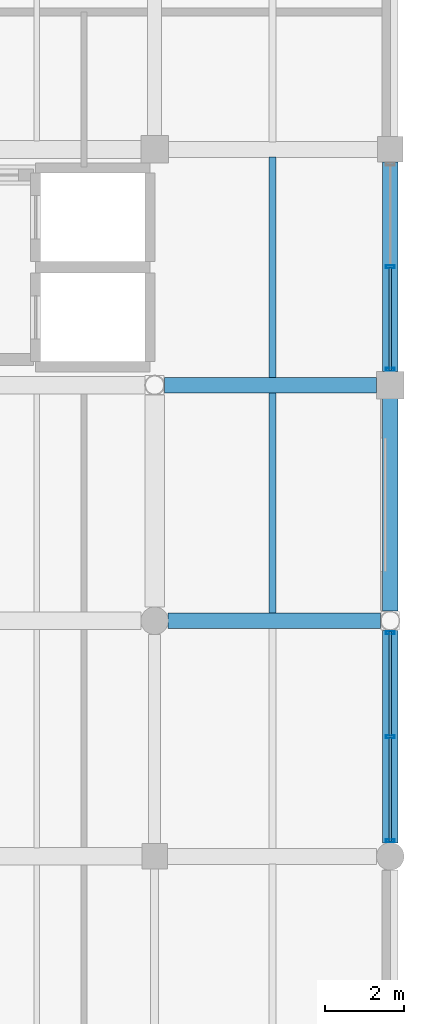
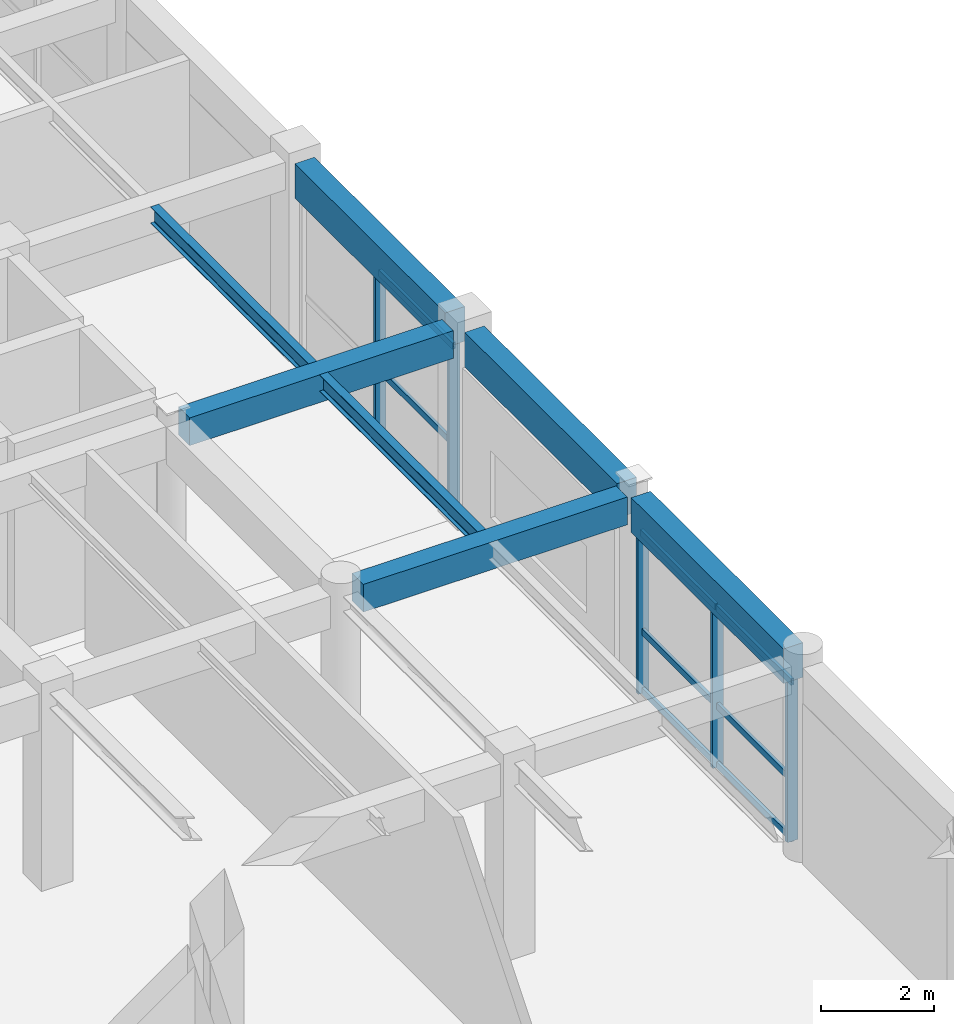
# One storey, part 73 of 116: 14 members, 7 beams, 2 elements without a shape of their own.
"""IFC4 building model written with IfcOpenShell, lengths in metres."""

import ifcopenshell
import ifcopenshell.guid

model = None  # the IFC model being written
_history = None  # IfcOwnerHistory: only IFC2X3 demands one
_inside = {}  # id of a spatial element -> (the spatial element, [elements in it])
_under = {}  # id of a project, library or spatial element -> (it, [spatial elements below it])
_declared = {}  # id of a project -> (the project, [libraries it declares])
_typed = {}  # id of a type object -> (the type object, [elements of that type])
_made_of = {}  # id of a material, layer set ... -> (it, [elements and type objects made of it])


def new_model(schema):
    """Start an empty IFC model of exactly this schema.

    Asked for "IFC4X3", IfcOpenShell would pick the latest addendum, in which some entities
    have other attributes; the version numbers below select the first issue.
    IFC2X3 requires an IfcOwnerHistory on every rooted entity: one is made here for all.
    """
    global model, _history
    if schema == "IFC4X3":
        model = ifcopenshell.file(schema_version=(4, 3, 0, 0))
    else:
        model = ifcopenshell.file(schema=schema)
    _inside.clear()
    _under.clear()
    _declared.clear()
    _typed.clear()
    _made_of.clear()
    _history = None
    if model.schema == "IFC2X3":
        org = make("IfcOrganization", Name="unknown")
        user = make(
            "IfcPersonAndOrganization",
            ThePerson=make("IfcPerson", FamilyName="unknown"),
            TheOrganization=org,
        )
        app = make(
            "IfcApplication",
            ApplicationDeveloper=org,
            Version="unknown",
            ApplicationFullName="unknown",
            ApplicationIdentifier="unknown",
        )
        _history = make(
            "IfcOwnerHistory",
            OwningUser=user,
            OwningApplication=app,
            ChangeAction="ADDED",
            CreationDate=0,
        )
    return model


def make(cls, **values):
    """One entity of the class cls with the attributes given. An attribute that is None is left unset."""
    return model.create_entity(
        cls, **{name: value for name, value in values.items() if value is not None}
    )


def rooted(cls, **values):
    """An entity with a GlobalId (a new one), such as an element, a storey or a relation."""
    return make(cls, GlobalId=ifcopenshell.guid.new(), OwnerHistory=_history, **values)


def si_unit(unit_type, name, prefix=None):
    """IfcSIUnit, for example si_unit("LENGTHUNIT", "METRE", prefix="MILLI")."""
    return make("IfcSIUnit", UnitType=unit_type, Prefix=prefix, Name=name)


def assignment(units):
    """IfcUnitAssignment: the units of a project."""
    return None if units is None else make("IfcUnitAssignment", Units=units)


def point(xyz):
    """IfcCartesianPoint."""
    return None if xyz is None else make("IfcCartesianPoint", Coordinates=xyz)


def direction(xyz):
    """IfcDirection."""
    return None if xyz is None else make("IfcDirection", DirectionRatios=xyz)


def frame(location, z_axis=None, x_axis=None):
    """IfcAxis2Placement3D, a coordinate frame: its origin and axes. An axis left out is left unset."""
    return make(
        "IfcAxis2Placement3D",
        Location=point(location),
        Axis=direction(z_axis),
        RefDirection=direction(x_axis),
    )


def frame_2d(location, x_axis=None):
    """IfcAxis2Placement2D, a coordinate frame in the plane: its origin and x axis."""
    return make(
        "IfcAxis2Placement2D", Location=point(location), RefDirection=direction(x_axis)
    )


def origin():
    """The frame at (0, 0, 0) with its axes left unset."""
    return frame((0.0, 0.0, 0.0))


def origin_2d():
    """The frame at (0, 0) in the plane with its x axis left unset."""
    return frame_2d((0.0, 0.0))


def place(relative_to, where):
    """IfcLocalPlacement: puts the frame where relative to a parent placement (None: the world)."""
    return make(
        "IfcLocalPlacement", PlacementRelTo=relative_to, RelativePlacement=where
    )


def context(
    kind, dimensions, precision=None, world=None, true_north=None, identifier=None
):
    """IfcGeometricRepresentationContext, for example the 3D "Model" context."""
    return make(
        "IfcGeometricRepresentationContext",
        ContextIdentifier=identifier,
        ContextType=kind,
        CoordinateSpaceDimension=dimensions,
        Precision=precision,
        WorldCoordinateSystem=world,
        TrueNorth=true_north,
    )


def subcontext(parent, identifier, kind, view, scale=None):
    """IfcGeometricRepresentationSubContext, for example "Body" below "Model"."""
    return make(
        "IfcGeometricRepresentationSubContext",
        ContextIdentifier=identifier,
        ContextType=kind,
        ParentContext=parent,
        TargetScale=scale,
        TargetView=view,
    )


def project(units=None, contexts=None):
    """IfcProject with its units and contexts."""
    return rooted(
        "IfcProject",
        Name="project",
        RepresentationContexts=contexts,
        UnitsInContext=assignment(units),
    )


def spatial(cls, under=None, at=None, **own):
    """A site, building, storey or space (cls), placed at a placement, below another one or the project."""
    s = rooted(cls, ObjectPlacement=at, **own)
    if under is not None:
        _under.setdefault(under.id(), (under, []))[1].append(s)
    return s


def profile(cls, at=None, kind="AREA", **sizes):
    """A parametric profile (cls). Its sizes go by their IFC names, for example OverallWidth=200.0."""
    return make(cls, ProfileType=kind, Position=at, **sizes)


def rectangle(**sizes):
    """IfcRectangleProfileDef."""
    return profile("IfcRectangleProfileDef", **sizes)


def hollow_rectangle(**sizes):
    """IfcRectangleHollowProfileDef."""
    return profile("IfcRectangleHollowProfileDef", **sizes)


def i_section(**sizes):
    """IfcIShapeProfileDef."""
    return profile("IfcIShapeProfileDef", **sizes)


def extrude(swept, where, along, depth):
    """IfcExtrudedAreaSolid: the profile swept, set in the frame where, extruded along a direction by depth."""
    return make(
        "IfcExtrudedAreaSolid",
        SweptArea=swept,
        Position=where,
        ExtrudedDirection=direction(along),
        Depth=depth,
    )


def shape(context_of_items, identifier, shape_type, items):
    """IfcShapeRepresentation: the items that make up one representation, for example the "Body"."""
    return make(
        "IfcShapeRepresentation",
        ContextOfItems=context_of_items,
        RepresentationIdentifier=identifier,
        RepresentationType=shape_type,
        Items=items,
    )


def material(Name=None, Category=None):
    """IfcMaterial."""
    return make("IfcMaterial", Name=Name, Category=Category)


def material_profile(
    of_material, cross_section, Name=None, Category=None, Priority=None
):
    """IfcMaterialProfile: a cross section and its material."""
    return make(
        "IfcMaterialProfile",
        Name=Name,
        Material=of_material,
        Profile=cross_section,
        Priority=Priority,
        Category=Category,
    )


def profile_set(profiles, Name=None, composite=None):
    """IfcMaterialProfileSet."""
    return make(
        "IfcMaterialProfileSet",
        Name=Name,
        MaterialProfiles=profiles,
        CompositeProfile=composite,
    )


def made_of(thing, what):
    """Note that an element or type object is made of a material, layer set ...; save() writes the relation."""
    if what is not None:
        _made_of.setdefault(what.id(), (what, []))[1].append(thing)
    return thing


def type_object(cls, material=None, **own):
    """A type object (cls), such as IfcWallType, which elements share."""
    return made_of(rooted(cls, **own), material)


def element(
    cls,
    number,
    at=None,
    inside=None,
    cuts=None,
    type_object=None,
    material=None,
    context=None,
    identifier="Body",
    shape_type=None,
    held_by="IfcProductDefinitionShape",
    body=None,
    shapes=None,
    **own,
):
    """One element of the class cls, such as IfcWall. Its Tag is "e" and its number.

    at: its placement. inside: the storey or other place that contains it. cuts: it is an
    opening in that element (IfcRelVoidsElement). A single representation is given by context,
    identifier, shape_type and body (its items); several are given by shapes. held_by: the class
    of the entity that holds the representations. save() writes the other relations.
    """
    e = rooted(cls, Tag="e%d" % number, ObjectPlacement=at, **own)
    if body is not None:
        shapes = [shape(context, identifier, shape_type, body)]
    if shapes is not None:
        e.Representation = make(held_by, Representations=shapes)
    if inside is not None:
        _inside.setdefault(inside.id(), (inside, []))[1].append(e)
    if cuts is not None:
        rooted(
            "IfcRelVoidsElement", RelatingBuildingElement=cuts, RelatedOpeningElement=e
        )
    if type_object is not None:
        _typed.setdefault(type_object.id(), (type_object, []))[1].append(e)
    return made_of(e, material)


def aggregate(whole, parts):
    """IfcRelAggregates: a whole, such as a stair, and the parts it consists of."""
    return rooted("IfcRelAggregates", RelatingObject=whole, RelatedObjects=parts)


def save(model, path):
    """Write the relations noted so far, then the file.

    IfcRelAggregates (storeys below a building ...), IfcRelContainedInSpatialStructure (elements
    in a storey), IfcRelDefinesByType, IfcRelAssociatesMaterial and IfcRelDeclares: one each for
    every whole, place, type object, material and project.
    """
    for whole, parts in _under.values():
        aggregate(whole, parts)
    for where, things in _inside.values():
        rooted(
            "IfcRelContainedInSpatialStructure",
            RelatedElements=things,
            RelatingStructure=where,
        )
    for kind, things in _typed.values():
        rooted("IfcRelDefinesByType", RelatedObjects=things, RelatingType=kind)
    for what, things in _made_of.values():
        rooted("IfcRelAssociatesMaterial", RelatedObjects=things, RelatingMaterial=what)
    for by, libraries in _declared.values():
        rooted("IfcRelDeclares", RelatingContext=by, RelatedDefinitions=libraries)
    model.write(path)


model = new_model("IFC4")

# Units and contexts
model_context = context("Model", 3, precision=1e-05, world=origin(), true_north=direction((0.0, 1.0)))
body_context = subcontext(model_context, "Body", "Model", "MODEL_VIEW")
ifc_project = project(units=[si_unit("LENGTHUNIT", "METRE"), si_unit("AREAUNIT", "SQUARE_METRE"), si_unit("VOLUMEUNIT", "CUBIC_METRE"), si_unit("PLANEANGLEUNIT", "RADIAN"), si_unit("MASSUNIT", "GRAM", prefix="KILO"), si_unit("THERMODYNAMICTEMPERATUREUNIT", "KELVIN"), si_unit("POWERUNIT", "WATT")], contexts=[model_context])

# Site, building, storey
site_placement = place(None, origin())
site = spatial("IfcSite", under=ifc_project, at=site_placement, CompositionType="ELEMENT")
building_placement = place(site_placement, origin())
building = spatial("IfcBuilding", under=site, at=building_placement, Name="Phaisarnlok Congress Hotel", CompositionType="ELEMENT")
storey_placement = place(building_placement, frame((0.0, 0.0, 10.5)))
storey = spatial("IfcBuildingStorey", under=building, at=storey_placement, Name="L02", CompositionType="ELEMENT", Elevation=10.5)

# Beams
ifc_material_1 = material(Name="Concrete C40/50", Category="concrete")
ifc_material_profile_1 = material_profile(ifc_material_1, rectangle(XDim=0.39990234375, YDim=0.60009765625, at=origin_2d()), Name="RC 400x600")
ifc_profile_set_1 = profile_set([ifc_material_profile_1], Name="Concrete C40/50")
beam_type_1 = type_object("IfcBeamType", Name="BM-RC-400x600", PredefinedType="BEAM", material=ifc_profile_set_1)
for number, where, z_axis, x_axis, name in (
    (1, (174.344970703125, 102.0, 3.93994140625), (1.0, 0.0, 0.0), (0.0, 1.0, 0.0), "Beam B-02"),
    (2, (174.2490234375, 108.0, 3.93994140625), (1.0, 0.0, 0.0), (0.0, 1.0, 0.0), "Beam B-02"),
):
    element("IfcBeam", number, at=place(storey_placement, frame(where, z_axis=z_axis, x_axis=x_axis)), inside=storey, type_object=beam_type_1, Name=name, PredefinedType="BEAM", context=body_context, shape_type="SweptSolid", body=[
        extrude(rectangle(XDim=0.39990234375, YDim=0.60009765625, at=origin_2d()), origin(), (0.0, 0.0, 1.0), 5.406005859375),
    ])

# Curtain wall, members
ifc_material_2 = material(Name="Thermally Broken Unitised Aluminium & Low-E Glazing", Category="aluminium")
curtain_wall_type_1 = type_object("IfcCurtainWallType", Name="CW-UNIT-17", PredefinedType="NOTDEFINED", material=ifc_material_2)
curtain_wall_1_placement = place(storey_placement, origin())
curtain_wall_1 = element("IfcCurtainWall", 3, at=curtain_wall_1_placement, inside=storey, type_object=curtain_wall_type_1, Name="Unitised curtain wall CW-17 (L02)", PredefinedType="NOTDEFINED")
ifc_material_3 = material(Name="Anodised Aluminium Alloy 6063-T6", Category="aluminium")
ifc_material_profile_2 = material_profile(ifc_material_3, hollow_rectangle(XDim=0.074951171875, YDim=0.219970703125, WallThickness=0.0048828125, at=origin_2d()), Name="ALU-M 75x220x5")
ifc_profile_set_2 = profile_set([ifc_material_profile_2], Name="Anodised Aluminium Alloy 6063-T6")
member_type_1 = type_object("IfcMemberType", Name="CWM-220", PredefinedType="MULLION", material=ifc_profile_set_2)
member_1_placement = place(storey_placement, frame((180.0, 96.39990234375, 0.0), z_axis=(0.0, 0.0, 1.0), x_axis=(0.0, 1.0, 0.0)))
member_1 = element("IfcMember", 4, at=member_1_placement, type_object=member_type_1, Name="Curtain wall mullion CWM-02", PredefinedType="MULLION", context=body_context, shape_type="SweptSolid", body=[
    extrude(hollow_rectangle(XDim=0.074951171875, YDim=0.219970703125, WallThickness=0.0048828125, at=origin_2d()), origin(), (0.0, 0.0, 1.0), 3.489990234375),
])
member_2_placement = place(storey_placement, frame((180.0, 99.048095703125, 0.0), z_axis=(0.0, 0.0, 1.0), x_axis=(0.0, 1.0, 0.0)))
member_2 = element("IfcMember", 5, at=member_2_placement, type_object=member_type_1, Name="Curtain wall mullion CWM-02", PredefinedType="MULLION", context=body_context, shape_type="SweptSolid", body=[
    extrude(hollow_rectangle(XDim=0.074951171875, YDim=0.219970703125, WallThickness=0.0048828125, at=origin_2d()), origin(), (0.0, 0.0, 1.0), 3.489990234375),
])
member_3_placement = place(storey_placement, frame((180.0, 101.696044921875, 0.0), z_axis=(0.0, 0.0, 1.0), x_axis=(0.0, 1.0, 0.0)))
member_3 = element("IfcMember", 6, at=member_3_placement, type_object=member_type_1, Name="Curtain wall mullion CWM-02", PredefinedType="MULLION", context=body_context, shape_type="SweptSolid", body=[
    extrude(hollow_rectangle(XDim=0.074951171875, YDim=0.219970703125, WallThickness=0.0048828125, at=origin_2d()), origin(), (0.0, 0.0, 1.0), 3.489990234375),
])

curtain_wall_type_2 = type_object("IfcCurtainWallType", Name="CW-UNIT-16", PredefinedType="NOTDEFINED", material=ifc_material_2)
curtain_wall_2_placement = place(storey_placement, origin())
curtain_wall_2 = element("IfcCurtainWall", 7, at=curtain_wall_2_placement, inside=storey, type_object=curtain_wall_type_2, Name="Unitised curtain wall CW-16 (L02)", PredefinedType="NOTDEFINED")
member_4_placement = place(storey_placement, frame((180.0, 108.39990234375, 0.0), z_axis=(0.0, 0.0, 1.0), x_axis=(0.0, 1.0, 0.0)))
member_4 = element("IfcMember", 8, at=member_4_placement, type_object=member_type_1, Name="Curtain wall mullion CWM-02", PredefinedType="MULLION", context=body_context, shape_type="SweptSolid", body=[
    extrude(hollow_rectangle(XDim=0.074951171875, YDim=0.219970703125, WallThickness=0.0048828125, at=origin_2d()), origin(), (0.0, 0.0, 1.0), 3.489990234375),
])
member_5_placement = place(storey_placement, frame((180.0, 111.012451171875, 0.0), z_axis=(0.0, 0.0, 1.0), x_axis=(0.0, 1.0, 0.0)))
member_5 = element("IfcMember", 9, at=member_5_placement, type_object=member_type_1, Name="Curtain wall mullion CWM-02", PredefinedType="MULLION", context=body_context, shape_type="SweptSolid", body=[
    extrude(hollow_rectangle(XDim=0.074951171875, YDim=0.219970703125, WallThickness=0.0048828125, at=origin_2d()), origin(), (0.0, 0.0, 1.0), 3.489990234375),
])

# Member
ifc_material_profile_3 = material_profile(ifc_material_3, hollow_rectangle(XDim=0.06494140625, YDim=0.139892578125, WallThickness=0.00390625, at=origin_2d()), Name="ALU-T 65x140x4")
ifc_profile_set_3 = profile_set([ifc_material_profile_3], Name="Anodised Aluminium Alloy 6063-T6")
member_type_2 = type_object("IfcMemberType", Name="CWT-150", PredefinedType="USERDEFINED", material=ifc_profile_set_3)
member_6_placement = place(storey_placement, frame((180.0, 96.375, 0.050048828125), z_axis=(0.0, 1.0, 0.0), x_axis=(-1.0, 0.0, 0.0)))
member_6 = element("IfcMember", 10, at=member_6_placement, type_object=member_type_2, Name="Curtain wall transom CWT-01", ObjectType="TRANSOM", PredefinedType="USERDEFINED", context=body_context, shape_type="SweptSolid", body=[
    extrude(hollow_rectangle(XDim=0.06494140625, YDim=0.139892578125, WallThickness=0.00390625, at=origin_2d()), origin(), (0.0, 0.0, 1.0), 2.657958984375),
])

member_7_placement = place(storey_placement, frame((180.0, 96.375, 1.326171875), z_axis=(0.0, 1.0, 0.0), x_axis=(-1.0, 0.0, 0.0)))
member_7 = element("IfcMember", 11, at=member_7_placement, type_object=member_type_2, Name="Curtain wall transom CWT-01", ObjectType="TRANSOM", PredefinedType="USERDEFINED", context=body_context, shape_type="SweptSolid", body=[
    extrude(hollow_rectangle(XDim=0.06494140625, YDim=0.139892578125, WallThickness=0.00390625, at=origin_2d()), origin(), (0.0, 0.0, 1.0), 2.657958984375),
])

member_8_placement = place(storey_placement, frame((180.0, 96.375, 3.43994140625), z_axis=(0.0, 1.0, 0.0), x_axis=(-1.0, 0.0, 0.0)))
member_8 = element("IfcMember", 12, at=member_8_placement, type_object=member_type_2, Name="Curtain wall transom CWT-01", ObjectType="TRANSOM", PredefinedType="USERDEFINED", context=body_context, shape_type="SweptSolid", body=[
    extrude(hollow_rectangle(XDim=0.06494140625, YDim=0.139892578125, WallThickness=0.00390625, at=origin_2d()), origin(), (0.0, 0.0, 1.0), 2.657958984375),
])

member_9_placement = place(storey_placement, frame((180.0, 99.06298828125, 0.050048828125), z_axis=(0.0, 1.0, 0.0), x_axis=(-1.0, 0.0, 0.0)))
member_9 = element("IfcMember", 13, at=member_9_placement, type_object=member_type_2, Name="Curtain wall transom CWT-01", ObjectType="TRANSOM", PredefinedType="USERDEFINED", context=body_context, shape_type="SweptSolid", body=[
    extrude(hollow_rectangle(XDim=0.06494140625, YDim=0.139892578125, WallThickness=0.00390625, at=origin_2d()), origin(), (0.0, 0.0, 1.0), 2.657958984375),
])

member_10_placement = place(storey_placement, frame((180.0, 99.06298828125, 1.326171875), z_axis=(0.0, 1.0, 0.0), x_axis=(-1.0, 0.0, 0.0)))
member_10 = element("IfcMember", 14, at=member_10_placement, type_object=member_type_2, Name="Curtain wall transom CWT-01", ObjectType="TRANSOM", PredefinedType="USERDEFINED", context=body_context, shape_type="SweptSolid", body=[
    extrude(hollow_rectangle(XDim=0.06494140625, YDim=0.139892578125, WallThickness=0.00390625, at=origin_2d()), origin(), (0.0, 0.0, 1.0), 2.657958984375),
])

member_11_placement = place(storey_placement, frame((180.0, 99.06298828125, 3.43994140625), z_axis=(0.0, 1.0, 0.0), x_axis=(-1.0, 0.0, 0.0)))
member_11 = element("IfcMember", 15, at=member_11_placement, type_object=member_type_2, Name="Curtain wall transom CWT-01", ObjectType="TRANSOM", PredefinedType="USERDEFINED", context=body_context, shape_type="SweptSolid", body=[
    extrude(hollow_rectangle(XDim=0.06494140625, YDim=0.139892578125, WallThickness=0.00390625, at=origin_2d()), origin(), (0.0, 0.0, 1.0), 2.657958984375),
])

aggregate(curtain_wall_1, [member_1, member_2, member_3, member_6, member_7, member_8, member_9, member_10, member_11])

member_12_placement = place(storey_placement, frame((180.0, 108.375, 0.050048828125), z_axis=(0.0, 1.0, 0.0), x_axis=(-1.0, 0.0, 0.0)))
member_12 = element("IfcMember", 16, at=member_12_placement, type_object=member_type_2, Name="Curtain wall transom CWT-01", ObjectType="TRANSOM", PredefinedType="USERDEFINED", context=body_context, shape_type="SweptSolid", body=[
    extrude(hollow_rectangle(XDim=0.06494140625, YDim=0.139892578125, WallThickness=0.00390625, at=origin_2d()), origin(), (0.0, 0.0, 1.0), 2.62255859375),
])

member_13_placement = place(storey_placement, frame((180.0, 108.375, 1.326171875), z_axis=(0.0, 1.0, 0.0), x_axis=(-1.0, 0.0, 0.0)))
member_13 = element("IfcMember", 17, at=member_13_placement, type_object=member_type_2, Name="Curtain wall transom CWT-01", ObjectType="TRANSOM", PredefinedType="USERDEFINED", context=body_context, shape_type="SweptSolid", body=[
    extrude(hollow_rectangle(XDim=0.06494140625, YDim=0.139892578125, WallThickness=0.00390625, at=origin_2d()), origin(), (0.0, 0.0, 1.0), 2.62255859375),
])

member_14_placement = place(storey_placement, frame((180.0, 108.375, 3.43994140625), z_axis=(0.0, 1.0, 0.0), x_axis=(-1.0, 0.0, 0.0)))
member_14 = element("IfcMember", 18, at=member_14_placement, type_object=member_type_2, Name="Curtain wall transom CWT-01", ObjectType="TRANSOM", PredefinedType="USERDEFINED", context=body_context, shape_type="SweptSolid", body=[
    extrude(hollow_rectangle(XDim=0.06494140625, YDim=0.139892578125, WallThickness=0.00390625, at=origin_2d()), origin(), (0.0, 0.0, 1.0), 2.62255859375),
])

aggregate(curtain_wall_2, [member_4, member_5, member_12, member_13, member_14])

# Beams
ifc_material_4 = material(Name="Steel S355", Category="steel")
ifc_material_profile_4 = material_profile(ifc_material_4, i_section(OverallWidth=0.169921875, OverallDepth=0.360107421875, WebThickness=0.008056640625, FlangeThickness=0.0126953125, FilletRadius=0.01806640625, at=origin_2d()), Name="IPE 360")
ifc_profile_set_4 = profile_set([ifc_material_profile_4], Name="Steel S355")
beam_type_2 = type_object("IfcBeamType", Name="JS-STL-IPE360", PredefinedType="JOIST", material=ifc_profile_set_4)
for number, where, z_axis, x_axis, name in (
    (19, (177.0, 102.195068359375, 4.06005859375), (0.0, 1.0, 0.0), (-1.0, 0.0, 0.0), "Secondary floor joist J-04"),
    (20, (177.0, 108.195068359375, 4.06005859375), (0.0, 1.0, 0.0), (-1.0, 0.0, 0.0), "Secondary floor joist J-04"),
):
    element("IfcBeam", number, at=place(storey_placement, frame(where, z_axis=z_axis, x_axis=x_axis)), inside=storey, type_object=beam_type_2, Name=name, PredefinedType="JOIST", context=body_context, shape_type="SweptSolid", body=[
        extrude(i_section(OverallWidth=0.169921875, OverallDepth=0.360107421875, WebThickness=0.008056640625, FlangeThickness=0.0126953125, FilletRadius=0.01806640625, at=origin_2d()), origin(), (0.0, 0.0, 1.0), 5.60986328125),
    ])
ifc_material_profile_5 = material_profile(ifc_material_1, rectangle(XDim=0.39990234375, YDim=0.75, at=origin_2d()), Name="RC 400x750")
ifc_profile_set_5 = profile_set([ifc_material_profile_5], Name="Concrete C40/50")
beam_type_3 = type_object("IfcBeamType", Name="SP-RC-400x750", PredefinedType="SPANDREL", material=ifc_profile_set_5)
for number, where, z_axis, x_axis, name in (
    (21, (180.0, 96.344970703125, 3.864990234375), (0.0, 1.0, 0.0), (-1.0, 0.0, 0.0), "Beam SP-02"),
    (22, (180.0, 102.2490234375, 3.864990234375), (0.0, 1.0, 0.0), (-1.0, 0.0, 0.0), "Beam SP-02"),
):
    element("IfcBeam", number, at=place(storey_placement, frame(where, z_axis=z_axis, x_axis=x_axis)), inside=storey, type_object=beam_type_3, Name=name, PredefinedType="SPANDREL", context=body_context, shape_type="SweptSolid", body=[
        extrude(rectangle(XDim=0.39990234375, YDim=0.75, at=origin_2d()), origin(), (0.0, 0.0, 1.0), 5.406005859375),
    ])
beam_placement = place(storey_placement, frame((180.0, 108.344970703125, 3.864990234375), z_axis=(0.0, 1.0, 0.0), x_axis=(-1.0, 0.0, 0.0)))
element("IfcBeam", 23, at=beam_placement, inside=storey, type_object=beam_type_3, Name="Beam SP-02", PredefinedType="SPANDREL", context=body_context, shape_type="SweptSolid", body=[
    extrude(rectangle(XDim=0.39990234375, YDim=0.75, at=origin_2d()), origin(), (0.0, 0.0, 1.0), 5.3349609375),
])

save(model, "model.ifc")
